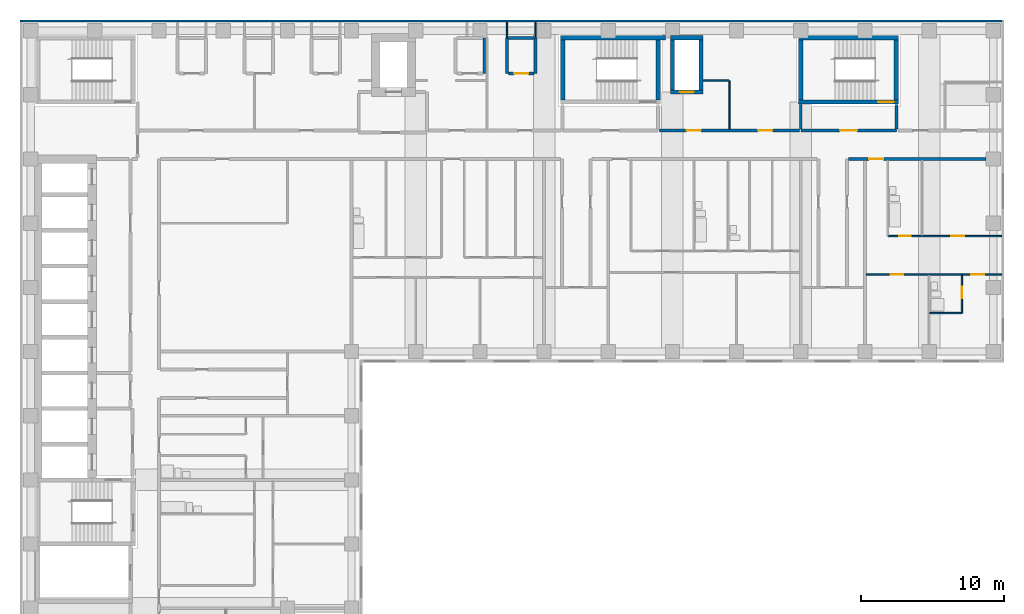
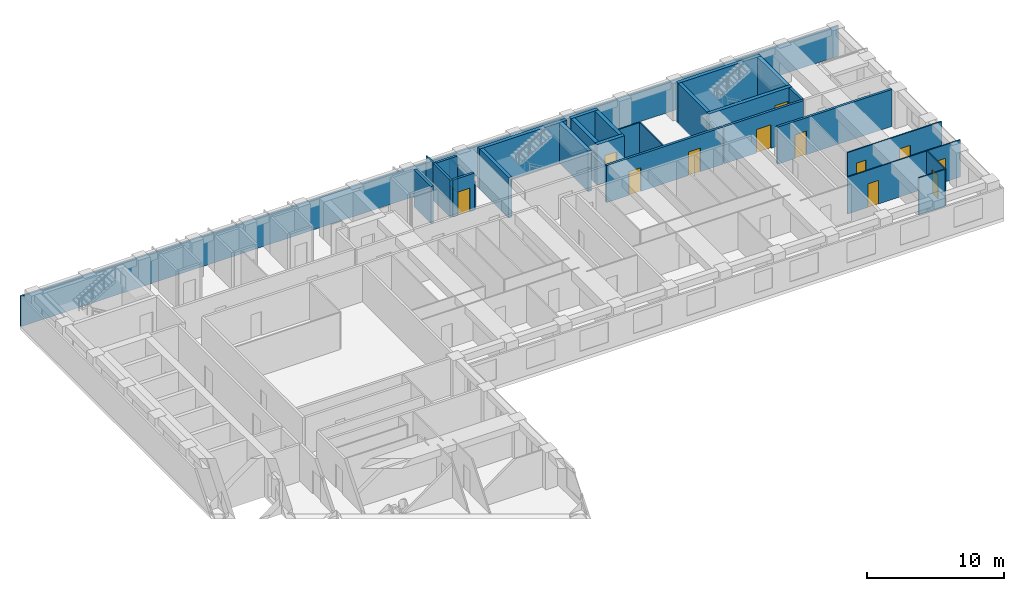
# One storey, part 8 of 11: 30 walls, 12 doors, 12 openings.
"""IFC4 building model written with IfcOpenShell, lengths in metres."""

from ifc_helpers import new_model, si_unit, direction, frame, frame_2d, origin, place, context, subcontext, project, spatial, rectangle, extrude, material, layer, layer_set, type_object, element, fill, save


model = new_model("IFC4")

# Units and contexts
model_context = context("Model", 3, precision=1e-05, world=origin(), true_north=direction((0.0, 1.0)))
body_context = subcontext(model_context, "Body", "Model", "MODEL_VIEW")
ifc_project = project(units=[si_unit("LENGTHUNIT", "METRE"), si_unit("AREAUNIT", "SQUARE_METRE"), si_unit("VOLUMEUNIT", "CUBIC_METRE"), si_unit("PLANEANGLEUNIT", "RADIAN"), si_unit("MASSUNIT", "GRAM", prefix="KILO")], contexts=[model_context])

# Site, building, storey
site_placement = place(None, origin())
site = spatial("IfcSite", under=ifc_project, at=site_placement, CompositionType="ELEMENT")
building_placement = place(site_placement, origin())
building = spatial("IfcBuilding", under=site, at=building_placement, Name="Firuza Court", CompositionType="ELEMENT")
storey_placement = place(building_placement, frame((0.0, 0.0, 134.0)))
storey = spatial("IfcBuildingStorey", under=building, at=storey_placement, Name="L33", CompositionType="ELEMENT", Elevation=134.0)

# Wall
ifc_material_1 = material(Name="Moisture-resistant gypsum board partition")
ifc_layer_1 = layer(ifc_material_1, 0.10009765625)
ifc_layer_set_1 = layer_set([ifc_layer_1], Name="Moisture-resistant gypsum board partition")
wall_type_1 = type_object("IfcWallType", Name="Bathroom partition 100", PredefinedType="PLUMBINGWALL", material=ifc_layer_set_1)
wall_1_placement = place(storey_placement, frame((63.050048828125, 38.699951171875, 0.0), z_axis=(0.0, 0.0, 1.0), x_axis=(1.0, 0.0, 0.0)))
element("IfcWall", 1, at=wall_1_placement, inside=storey, type_object=wall_type_1, Name="Bathroom partition 100 L33", PredefinedType="PLUMBINGWALL", context=body_context, shape_type="SweptSolid", body=[
    extrude(rectangle(XDim=2.199951171875, YDim=0.10009765625, at=frame_2d((1.10009765625, 0.0))), origin(), (0.0, 0.0, 1.0), 3.300048828125),
])

# Wall, opening, door
wall_2_placement = place(storey_placement, frame((65.300048828125, 38.699951171875, 0.0), z_axis=(0.0, 0.0, 1.0), x_axis=(0.0, 1.0, 0.0)))
wall_2 = element("IfcWall", 2, at=wall_2_placement, inside=storey, type_object=wall_type_1, Name="Bathroom partition 100 L33", PredefinedType="PLUMBINGWALL", context=body_context, shape_type="SweptSolid", body=[
    extrude(rectangle(XDim=2.650146484375, YDim=0.10009765625, at=frame_2d((1.3251953125, 0.0))), origin(), (0.0, 0.0, 1.0), 3.300048828125),
])
opening_1_placement = place(wall_2_placement, frame((1.050048828125, 0.0, 0.0)))
opening_1 = element("IfcOpeningElement", 3, at=opening_1_placement, cuts=wall_2, Name="Opening D33038", PredefinedType="OPENING", context=body_context, shape_type="SweptSolid", body=[
    extrude(rectangle(XDim=0.800048828125, YDim=2.10009765625, at=frame_2d((0.39990234375, 1.050048828125))), frame((0.0, 0.06201171875, 0.0), z_axis=(0.0, -1.0, 0.0), x_axis=(1.0, 0.0, 0.0)), (0.0, 0.0, 1.0), 0.1240234375),
])
ifc_material_2 = material(Name="Timber door leaf in hardwood frame", Category="wood")
door_type_1 = type_object("IfcDoorType", Name="Bathroom door 800", OperationType="SINGLE_SWING_LEFT", PredefinedType="DOOR", material=ifc_material_2)
door_1_placement = place(opening_1_placement, origin())
door_1 = element("IfcDoor", 4, at=door_1_placement, inside=storey, type_object=door_type_1, Name="En-suite door", OperationType="SINGLE_SWING_RIGHT", OverallHeight=2.10009765625, OverallWidth=0.800048828125, PredefinedType="DOOR", context=body_context, shape_type="SweptSolid", body=[
    extrude(rectangle(XDim=0.800048828125, YDim=2.10009765625, at=frame_2d((0.39990234375, 1.050048828125))), frame((0.0, 0.02490234375, 0.0), z_axis=(0.0, -1.0, 0.0), x_axis=(1.0, 0.0, 0.0)), (0.0, 0.0, 1.0), 0.050048828125),
])
fill(opening_1, door_1)

# Walls
ifc_material_3 = material(Name="Concrete C60/75", Category="concrete")
ifc_layer_2 = layer(ifc_material_3, 0.300048828125)
ifc_layer_set_2 = layer_set([ifc_layer_2], Name="Concrete C60/75")
wall_type_2 = type_object("IfcWallType", Name="Core wall 300 C60/75", PredefinedType="SHEAR", material=ifc_layer_set_2)
wall_3_placement = place(storey_placement, frame((37.14990234375, 58.0, -0.300048828125), z_axis=(0.0, 0.0, 1.0), x_axis=(1.0, 0.0, 0.0)))
element("IfcWall", 5, at=wall_3_placement, inside=storey, type_object=wall_type_2, Name="Core wall stair L33", PredefinedType="SHEAR", context=body_context, shape_type="SweptSolid", body=[
    extrude(rectangle(XDim=7.35009765625, YDim=0.300048828125, at=frame_2d((3.675048828125, 0.0))), origin(), (0.0, 0.0, 1.0), 3.60009765625),
])
for number, where, z_axis, x_axis, name in (
    (6, (37.300048828125, 53.64990234375, -0.300048828125), (0.0, 0.0, 1.0), (0.0, 1.0, 0.0), "Core wall stair L33"),
    (7, (44.0, 53.64990234375, -0.300048828125), (0.0, 0.0, 1.0), (0.0, 1.0, 0.0), "Core wall stair L33"),
):
    element("IfcWall", number, at=place(storey_placement, frame(where, z_axis=z_axis, x_axis=x_axis)), inside=storey, type_object=wall_type_2, Name=name, PredefinedType="SHEAR", context=body_context, shape_type="SweptSolid", body=[
        extrude(rectangle(XDim=4.2001953125, YDim=0.300048828125, at=frame_2d((2.10009765625, 0.0))), origin(), (0.0, 0.0, 1.0), 3.60009765625),
    ])

# Wall, opening, door
wall_4_placement = place(storey_placement, frame((44.85009765625, 54.199951171875, -0.300048828125), z_axis=(0.0, 0.0, 1.0), x_axis=(1.0, 0.0, 0.0)))
wall_4 = element("IfcWall", 8, at=wall_4_placement, inside=storey, type_object=wall_type_2, Name="Core wall riser L33", PredefinedType="SHEAR", context=body_context, shape_type="SweptSolid", body=[
    extrude(rectangle(XDim=2.2998046875, YDim=0.300048828125, at=frame_2d((1.14990234375, 0.0))), origin(), (0.0, 0.0, 1.0), 3.60009765625),
])
opening_2_placement = place(wall_4_placement, frame((0.64990234375, 0.0, 0.300048828125)))
opening_2 = element("IfcOpeningElement", 9, at=opening_2_placement, cuts=wall_4, Name="Opening D33010", PredefinedType="OPENING", context=body_context, shape_type="SweptSolid", body=[
    extrude(rectangle(XDim=1.0, YDim=2.10009765625, at=frame_2d((0.5, 1.050048828125))), frame((0.0, 0.162109375, 0.0), z_axis=(0.0, -1.0, 0.0), x_axis=(1.0, 0.0, 0.0)), (0.0, 0.0, 1.0), 0.323974609375),
])
ifc_material_4 = material(Name="Timber door leaf in hardwood frame", Category="wood")
door_type_2 = type_object("IfcDoorType", Name="Riser door 1000", OperationType="SINGLE_SWING_LEFT", PredefinedType="DOOR", material=ifc_material_4)
door_2_placement = place(opening_2_placement, origin())
door_2 = element("IfcDoor", 10, at=door_2_placement, inside=storey, type_object=door_type_2, Name="Riser door R3", OperationType="SINGLE_SWING_LEFT", OverallHeight=2.10009765625, OverallWidth=1.0, PredefinedType="DOOR", context=body_context, shape_type="SweptSolid", body=[
    extrude(rectangle(XDim=1.0, YDim=2.10009765625, at=frame_2d((0.5, 1.050048828125))), frame((0.0, 0.02490234375, 0.0), z_axis=(0.0, -1.0, 0.0), x_axis=(1.0, 0.0, 0.0)), (0.0, 0.0, 1.0), 0.050048828125),
])
fill(opening_2, door_2)

# Walls
wall_5_placement = place(storey_placement, frame((44.85009765625, 58.0, -0.300048828125), z_axis=(0.0, 0.0, 1.0), x_axis=(1.0, 0.0, 0.0)))
element("IfcWall", 11, at=wall_5_placement, inside=storey, type_object=wall_type_2, Name="Core wall riser L33", PredefinedType="SHEAR", context=body_context, shape_type="SweptSolid", body=[
    extrude(rectangle(XDim=2.2998046875, YDim=0.300048828125, at=frame_2d((1.14990234375, 0.0))), origin(), (0.0, 0.0, 1.0), 3.60009765625),
])
for number, where, z_axis, x_axis, name in (
    (12, (45.0, 54.35009765625, -0.300048828125), (0.0, 0.0, 1.0), (0.0, 1.0, 0.0), "Core wall riser L33"),
    (13, (47.0, 54.35009765625, -0.300048828125), (0.0, 0.0, 1.0), (0.0, 1.0, 0.0), "Core wall riser L33"),
):
    element("IfcWall", number, at=place(storey_placement, frame(where, z_axis=z_axis, x_axis=x_axis)), inside=storey, type_object=wall_type_2, Name=name, PredefinedType="SHEAR", context=body_context, shape_type="SweptSolid", body=[
        extrude(rectangle(XDim=3.5, YDim=0.300048828125, at=frame_2d((1.75, 0.0))), origin(), (0.0, 0.0, 1.0), 3.60009765625),
    ])

# Wall, opening, door
wall_6_placement = place(storey_placement, frame((53.85009765625, 53.5, -0.300048828125), z_axis=(0.0, 0.0, 1.0), x_axis=(1.0, 0.0, 0.0)))
wall_6 = element("IfcWall", 14, at=wall_6_placement, inside=storey, type_object=wall_type_2, Name="Core wall stair L33", PredefinedType="SHEAR", context=body_context, shape_type="SweptSolid", body=[
    extrude(rectangle(XDim=7.0, YDim=0.300048828125, at=frame_2d((3.5, 0.0))), origin(), (0.0, 0.0, 1.0), 3.60009765625),
])
opening_3_placement = place(wall_6_placement, frame((5.580078125, 0.0, 0.300048828125)))
opening_3 = element("IfcOpeningElement", 15, at=opening_3_placement, cuts=wall_6, Name="Opening D33016", PredefinedType="OPENING", context=body_context, shape_type="SweptSolid", body=[
    extrude(rectangle(XDim=1.10009765625, YDim=2.10009765625, at=frame_2d((0.550048828125, 1.050048828125))), frame((0.0, 0.162109375, 0.0), z_axis=(0.0, -1.0, 0.0), x_axis=(1.0, 0.0, 0.0)), (0.0, 0.0, 1.0), 0.323974609375),
])
ifc_material_5 = material(Name="Timber door leaf in hardwood frame", Category="wood")
door_type_3 = type_object("IfcDoorType", Name="Stair door 1100", OperationType="SINGLE_SWING_LEFT", PredefinedType="DOOR", material=ifc_material_5)
door_3_placement = place(opening_3_placement, origin())
door_3 = element("IfcDoor", 16, at=door_3_placement, inside=storey, type_object=door_type_3, Name="Stair door S4", OperationType="SINGLE_SWING_RIGHT", OverallHeight=2.10009765625, OverallWidth=1.10009765625, PredefinedType="DOOR", context=body_context, shape_type="SweptSolid", body=[
    extrude(rectangle(XDim=1.10009765625, YDim=2.10009765625, at=frame_2d((0.550048828125, 1.050048828125))), frame((0.0, 0.02490234375, 0.0), z_axis=(0.0, -1.0, 0.0), x_axis=(1.0, 0.0, 0.0)), (0.0, 0.0, 1.0), 0.050048828125),
])
fill(opening_3, door_3)

# Walls
wall_7_placement = place(storey_placement, frame((53.85009765625, 58.0, -0.300048828125), z_axis=(0.0, 0.0, 1.0), x_axis=(1.0, 0.0, 0.0)))
element("IfcWall", 17, at=wall_7_placement, inside=storey, type_object=wall_type_2, Name="Core wall stair L33", PredefinedType="SHEAR", context=body_context, shape_type="SweptSolid", body=[
    extrude(rectangle(XDim=7.0, YDim=0.300048828125, at=frame_2d((3.5, 0.0))), origin(), (0.0, 0.0, 1.0), 3.60009765625),
])
for number, where, z_axis, x_axis, name in (
    (18, (54.0, 53.64990234375, -0.300048828125), (0.0, 0.0, 1.0), (0.0, 1.0, 0.0), "Core wall stair L33"),
    (19, (60.699951171875, 53.64990234375, -0.300048828125), (0.0, 0.0, 1.0), (0.0, 1.0, 0.0), "Core wall stair L33"),
):
    element("IfcWall", number, at=place(storey_placement, frame(where, z_axis=z_axis, x_axis=x_axis)), inside=storey, type_object=wall_type_2, Name=name, PredefinedType="SHEAR", context=body_context, shape_type="SweptSolid", body=[
        extrude(rectangle(XDim=4.2001953125, YDim=0.300048828125, at=frame_2d((2.10009765625, 0.0))), origin(), (0.0, 0.0, 1.0), 3.60009765625),
    ])

# Wall, opening, door
ifc_material_6 = material(Name="Blockwork, plastered both sides", Category="masonry")
ifc_layer_3 = layer(ifc_material_6, 0.199951171875)
ifc_layer_set_3 = layer_set([ifc_layer_3], Name="Blockwork, plastered both sides")
wall_type_3 = type_object("IfcWallType", Name="Corridor wall 200", PredefinedType="PARTITIONING", material=ifc_layer_set_3)
wall_8_placement = place(storey_placement, frame((57.35009765625, 49.5, 0.0), z_axis=(0.0, 0.0, 1.0), x_axis=(1.0, 0.0, 0.0)))
wall_8 = element("IfcWall", 20, at=wall_8_placement, inside=storey, type_object=wall_type_3, Name="Corridor wall 200 L33", PredefinedType="PARTITIONING", context=body_context, shape_type="SweptSolid", body=[
    extrude(rectangle(XDim=9.64990234375, YDim=0.199951171875, at=frame_2d((4.824951171875, 0.0))), origin(), (0.0, 0.0, 1.0), 3.300048828125),
])
opening_4_placement = place(wall_8_placement, frame((1.449951171875, 0.0, 0.0)))
opening_4 = element("IfcOpeningElement", 21, at=opening_4_placement, cuts=wall_8, Name="Opening D33067", PredefinedType="OPENING", context=body_context, shape_type="SweptSolid", body=[
    extrude(rectangle(XDim=1.0, YDim=2.10009765625, at=frame_2d((0.5, 1.050048828125))), frame((0.0, 0.11181640625, 0.0), z_axis=(0.0, -1.0, 0.0), x_axis=(1.0, 0.0, 0.0)), (0.0, 0.0, 1.0), 0.223876953125),
])
ifc_material_7 = material(Name="Timber door leaf in hardwood frame", Category="wood")
door_type_4 = type_object("IfcDoorType", Name="Flat entrance door 1000", OperationType="SINGLE_SWING_LEFT", PredefinedType="DOOR", material=ifc_material_7)
door_4_placement = place(opening_4_placement, origin())
door_4 = element("IfcDoor", 22, at=door_4_placement, inside=storey, type_object=door_type_4, Name="Flat entrance door", OperationType="SINGLE_SWING_LEFT", OverallHeight=2.10009765625, OverallWidth=1.0, PredefinedType="DOOR", context=body_context, shape_type="SweptSolid", body=[
    extrude(rectangle(XDim=1.0, YDim=2.10009765625, at=frame_2d((0.5, 1.050048828125))), frame((0.0, 0.02490234375, 0.0), z_axis=(0.0, -1.0, 0.0), x_axis=(1.0, 0.0, 0.0)), (0.0, 0.0, 1.0), 0.050048828125),
])
fill(opening_4, door_4)

# Wall, openings, doors
wall_9_placement = place(storey_placement, frame((44.10009765625, 51.5, 0.0), z_axis=(0.0, 0.0, 1.0), x_axis=(1.0, 0.0, 0.0)))
wall_9 = element("IfcWall", 23, at=wall_9_placement, inside=storey, type_object=wall_type_3, Name="Corridor wall 200 L33", PredefinedType="PARTITIONING", context=body_context, shape_type="SweptSolid", body=[
    extrude(rectangle(XDim=9.7998046875, YDim=0.199951171875, at=frame_2d((4.89990234375, 0.0))), origin(), (0.0, 0.0, 1.0), 3.300048828125),
])
opening_5_placement = place(wall_9_placement, frame((1.89990234375, 0.0, 0.0)))
opening_5 = element("IfcOpeningElement", 24, at=opening_5_placement, cuts=wall_9, Name="Opening D33072", PredefinedType="OPENING", context=body_context, shape_type="SweptSolid", body=[
    extrude(rectangle(XDim=1.0, YDim=2.10009765625, at=frame_2d((0.5, 1.050048828125))), frame((0.0, 0.11181640625, 0.0), z_axis=(0.0, -1.0, 0.0), x_axis=(1.0, 0.0, 0.0)), (0.0, 0.0, 1.0), 0.223876953125),
])
opening_6_placement = place(wall_9_placement, frame((6.89990234375, 0.0, 0.0)))
opening_6 = element("IfcOpeningElement", 25, at=opening_6_placement, cuts=wall_9, Name="Opening D33073", PredefinedType="OPENING", context=body_context, shape_type="SweptSolid", body=[
    extrude(rectangle(XDim=1.0, YDim=2.10009765625, at=frame_2d((0.5, 1.050048828125))), frame((0.0, 0.11181640625, 0.0), z_axis=(0.0, -1.0, 0.0), x_axis=(1.0, 0.0, 0.0)), (0.0, 0.0, 1.0), 0.223876953125),
])
ifc_material_8 = material(Name="Timber door leaf in hardwood frame", Category="wood")
door_type_5 = type_object("IfcDoorType", Name="Store door 1000", OperationType="SINGLE_SWING_LEFT", PredefinedType="DOOR", material=ifc_material_8)
door_5_placement = place(opening_5_placement, origin())
door_5 = element("IfcDoor", 26, at=door_5_placement, inside=storey, type_object=door_type_5, Name="Cleaner's store door", OperationType="SINGLE_SWING_LEFT", OverallHeight=2.10009765625, OverallWidth=1.0, PredefinedType="DOOR", context=body_context, shape_type="SweptSolid", body=[
    extrude(rectangle(XDim=1.0, YDim=2.10009765625, at=frame_2d((0.5, 1.050048828125))), frame((0.0, 0.02490234375, 0.0), z_axis=(0.0, -1.0, 0.0), x_axis=(1.0, 0.0, 0.0)), (0.0, 0.0, 1.0), 0.050048828125),
])
fill(opening_5, door_5)
door_6_placement = place(opening_6_placement, origin())
door_6 = element("IfcDoor", 27, at=door_6_placement, inside=storey, type_object=door_type_5, Name="Bicycle store door", OperationType="SINGLE_SWING_LEFT", OverallHeight=2.10009765625, OverallWidth=1.0, PredefinedType="DOOR", context=body_context, shape_type="SweptSolid", body=[
    extrude(rectangle(XDim=1.0, YDim=2.10009765625, at=frame_2d((0.5, 1.050048828125))), frame((0.0, 0.02490234375, 0.0), z_axis=(0.0, -1.0, 0.0), x_axis=(1.0, 0.0, 0.0)), (0.0, 0.0, 1.0), 0.050048828125),
])
fill(opening_6, door_6)

ifc_material_9 = material(Name="Timber stud partition, plasterboard both sides", Category="wood")
ifc_layer_4 = layer(ifc_material_9, 0.10009765625)
ifc_layer_set_4 = layer_set([ifc_layer_4], Name="Timber stud partition, plasterboard both sides")
wall_type_4 = type_object("IfcWallType", Name="Partition wall 100", PredefinedType="PARTITIONING", material=ifc_layer_set_4)
wall_10_placement = place(storey_placement, frame((58.60009765625, 41.39990234375, 0.0), z_axis=(0.0, 0.0, 1.0), x_axis=(1.0, 0.0, 0.0)))
wall_10 = element("IfcWall", 28, at=wall_10_placement, inside=storey, type_object=wall_type_4, Name="Partition wall 100 L33", PredefinedType="PARTITIONING", context=body_context, shape_type="SweptSolid", body=[
    extrude(rectangle(XDim=9.5, YDim=0.10009765625, at=frame_2d((4.75, 0.0))), origin(), (0.0, 0.0, 1.0), 3.300048828125),
])
opening_7_placement = place(wall_10_placement, frame((1.699951171875, 0.0, 0.0)))
opening_7 = element("IfcOpeningElement", 29, at=opening_7_placement, cuts=wall_10, Name="Opening D33048", PredefinedType="OPENING", context=body_context, shape_type="SweptSolid", body=[
    extrude(rectangle(XDim=0.89990234375, YDim=2.10009765625, at=frame_2d((0.449951171875, 1.050048828125))), frame((0.0, 0.06201171875, 0.0), z_axis=(0.0, -1.0, 0.0), x_axis=(1.0, 0.0, 0.0)), (0.0, 0.0, 1.0), 0.1240234375),
])
opening_8_placement = place(wall_10_placement, frame((7.35009765625, 0.0, 0.0)))
opening_8 = element("IfcOpeningElement", 30, at=opening_8_placement, cuts=wall_10, Name="Opening D33049", PredefinedType="OPENING", context=body_context, shape_type="SweptSolid", body=[
    extrude(rectangle(XDim=0.89990234375, YDim=2.10009765625, at=frame_2d((0.449951171875, 1.050048828125))), frame((0.0, 0.06201171875, 0.0), z_axis=(0.0, -1.0, 0.0), x_axis=(1.0, 0.0, 0.0)), (0.0, 0.0, 1.0), 0.1240234375),
])
ifc_material_10 = material(Name="Timber door leaf in hardwood frame", Category="wood")
door_type_6 = type_object("IfcDoorType", Name="Room door 900", OperationType="SINGLE_SWING_LEFT", PredefinedType="DOOR", material=ifc_material_10)
door_7_placement = place(opening_7_placement, frame((0.89990234375, 0.0, 0.0), z_axis=(0.0, 0.0, 1.0), x_axis=(-1.0, 0.0, 0.0)))
door_7 = element("IfcDoor", 31, at=door_7_placement, inside=storey, type_object=door_type_6, Name="Living room door", OperationType="SINGLE_SWING_RIGHT", OverallHeight=2.10009765625, OverallWidth=0.89990234375, PredefinedType="DOOR", context=body_context, shape_type="SweptSolid", body=[
    extrude(rectangle(XDim=0.89990234375, YDim=2.10009765625, at=frame_2d((0.449951171875, 1.050048828125))), frame((0.0, 0.02490234375, 0.0), z_axis=(0.0, -1.0, 0.0), x_axis=(1.0, 0.0, 0.0)), (0.0, 0.0, 1.0), 0.050048828125),
])
fill(opening_7, door_7)
door_8_placement = place(opening_8_placement, frame((0.89990234375, 0.0, 0.0), z_axis=(0.0, 0.0, 1.0), x_axis=(-1.0, 0.0, 0.0)))
door_8 = element("IfcDoor", 32, at=door_8_placement, inside=storey, type_object=door_type_6, Name="Bedroom door", OperationType="SINGLE_SWING_RIGHT", OverallHeight=2.10009765625, OverallWidth=0.89990234375, PredefinedType="DOOR", context=body_context, shape_type="SweptSolid", body=[
    extrude(rectangle(XDim=0.89990234375, YDim=2.10009765625, at=frame_2d((0.449951171875, 1.050048828125))), frame((0.0, 0.02490234375, 0.0), z_axis=(0.0, -1.0, 0.0), x_axis=(1.0, 0.0, 0.0)), (0.0, 0.0, 1.0), 0.050048828125),
])
fill(opening_8, door_8)

wall_11_placement = place(storey_placement, frame((60.14990234375, 44.10009765625, 0.0), z_axis=(0.0, 0.0, 1.0), x_axis=(1.0, 0.0, 0.0)))
wall_11 = element("IfcWall", 33, at=wall_11_placement, inside=storey, type_object=wall_type_4, Name="Partition wall 100 L33", PredefinedType="PARTITIONING", context=body_context, shape_type="SweptSolid", body=[
    extrude(rectangle(XDim=7.9501953125, YDim=0.10009765625, at=frame_2d((3.97509765625, 0.0))), origin(), (0.0, 0.0, 1.0), 3.300048828125),
])
opening_9_placement = place(wall_11_placement, frame((0.75, 0.0, 0.0)))
opening_9 = element("IfcOpeningElement", 34, at=opening_9_placement, cuts=wall_11, Name="Opening D33062", PredefinedType="OPENING", context=body_context, shape_type="SweptSolid", body=[
    extrude(rectangle(XDim=0.800048828125, YDim=2.10009765625, at=frame_2d((0.39990234375, 1.050048828125))), frame((0.0, 0.06201171875, 0.0), z_axis=(0.0, -1.0, 0.0), x_axis=(1.0, 0.0, 0.0)), (0.0, 0.0, 1.0), 0.1240234375),
])
opening_10_placement = place(wall_11_placement, frame((4.39990234375, 0.0, 0.0)))
opening_10 = element("IfcOpeningElement", 35, at=opening_10_placement, cuts=wall_11, Name="Opening D33063", PredefinedType="OPENING", context=body_context, shape_type="SweptSolid", body=[
    extrude(rectangle(XDim=0.89990234375, YDim=2.10009765625, at=frame_2d((0.449951171875, 1.050048828125))), frame((0.0, 0.06201171875, 0.0), z_axis=(0.0, -1.0, 0.0), x_axis=(1.0, 0.0, 0.0)), (0.0, 0.0, 1.0), 0.1240234375),
])
door_9_placement = place(opening_9_placement, origin())
door_9 = element("IfcDoor", 36, at=door_9_placement, inside=storey, type_object=door_type_1, Name="Bathroom door", OperationType="SINGLE_SWING_LEFT", OverallHeight=2.10009765625, OverallWidth=0.800048828125, PredefinedType="DOOR", context=body_context, shape_type="SweptSolid", body=[
    extrude(rectangle(XDim=0.800048828125, YDim=2.10009765625, at=frame_2d((0.39990234375, 1.050048828125))), frame((0.0, 0.02490234375, 0.0), z_axis=(0.0, -1.0, 0.0), x_axis=(1.0, 0.0, 0.0)), (0.0, 0.0, 1.0), 0.050048828125),
])
fill(opening_9, door_9)
door_10_placement = place(opening_10_placement, origin())
door_10 = element("IfcDoor", 37, at=door_10_placement, inside=storey, type_object=door_type_6, Name="Kitchen door", OperationType="SINGLE_SWING_LEFT", OverallHeight=2.10009765625, OverallWidth=0.89990234375, PredefinedType="DOOR", context=body_context, shape_type="SweptSolid", body=[
    extrude(rectangle(XDim=0.89990234375, YDim=2.10009765625, at=frame_2d((0.449951171875, 1.050048828125))), frame((0.0, 0.02490234375, 0.0), z_axis=(0.0, -1.0, 0.0), x_axis=(1.0, 0.0, 0.0)), (0.0, 0.0, 1.0), 0.050048828125),
])
fill(opening_10, door_10)

# Walls
wall_12_placement = place(storey_placement, frame((49.0, 51.60009765625, 0.0), z_axis=(0.0, 0.0, 1.0), x_axis=(0.0, 1.0, 0.0)))
element("IfcWall", 38, at=wall_12_placement, inside=storey, type_object=wall_type_4, Name="Partition wall 100 L33", PredefinedType="PARTITIONING", context=body_context, shape_type="SweptSolid", body=[
    extrude(rectangle(XDim=3.39990234375, YDim=0.10009765625, at=frame_2d((1.699951171875, 0.0))), origin(), (0.0, 0.0, 1.0), 3.300048828125),
])
wall_13_placement = place(storey_placement, frame((47.14990234375, 55.0, 0.0), z_axis=(0.0, 0.0, 1.0), x_axis=(1.0, 0.0, 0.0)))
element("IfcWall", 39, at=wall_13_placement, inside=storey, type_object=wall_type_4, Name="Partition wall 100 L33", PredefinedType="PARTITIONING", context=body_context, shape_type="SweptSolid", body=[
    extrude(rectangle(XDim=1.800048828125, YDim=0.10009765625, at=frame_2d((0.89990234375, 0.0))), origin(), (0.0, 0.0, 1.0), 3.300048828125),
])
wall_14_placement = place(storey_placement, frame((33.39990234375, 58.0, 0.0), z_axis=(0.0, 0.0, 1.0), x_axis=(0.0, 1.0, 0.0)))
element("IfcWall", 40, at=wall_14_placement, inside=storey, type_object=wall_type_4, Name="Partition wall 100 L33", PredefinedType="PARTITIONING", context=body_context, shape_type="SweptSolid", body=[
    extrude(rectangle(XDim=1.10009765625, YDim=0.10009765625, at=frame_2d((0.550048828125, 0.0))), origin(), (0.0, 0.0, 1.0), 3.300048828125),
])
wall_15_placement = place(storey_placement, frame((35.39990234375, 58.0, 0.0), z_axis=(0.0, 0.0, 1.0), x_axis=(0.0, 1.0, 0.0)))
element("IfcWall", 41, at=wall_15_placement, inside=storey, type_object=wall_type_4, Name="Partition wall 100 L33", PredefinedType="PARTITIONING", context=body_context, shape_type="SweptSolid", body=[
    extrude(rectangle(XDim=1.10009765625, YDim=0.10009765625, at=frame_2d((0.550048828125, 0.0))), origin(), (0.0, 0.0, 1.0), 2.39990234375),
])
ifc_material_11 = material(Name="Blockwork, fire-rated", Category="masonry")
ifc_layer_5 = layer(ifc_material_11, 0.199951171875)
ifc_layer_set_5 = layer_set([ifc_layer_5], Name="Blockwork, fire-rated")
wall_type_5 = type_object("IfcWallType", Name="Plant room wall 200", PredefinedType="PARTITIONING", material=ifc_layer_set_5)
for number, where, z_axis, x_axis, name in (
    (42, (31.800048828125, 55.5, 0.0), (0.0, 0.0, 1.0), (0.0, 1.0, 0.0), "Plant room wall 200 L33"),
    (43, (33.39990234375, 55.5, 0.0), (0.0, 0.0, 1.0), (0.0, 1.0, 0.0), "Plant room wall 200 L33"),
):
    element("IfcWall", number, at=place(storey_placement, frame(where, z_axis=z_axis, x_axis=x_axis)), inside=storey, type_object=wall_type_5, Name=name, PredefinedType="PARTITIONING", context=body_context, shape_type="SweptSolid", body=[
        extrude(rectangle(XDim=2.5, YDim=0.199951171875, at=frame_2d((1.25, 0.0))), origin(), (0.0, 0.0, 1.0), 3.300048828125),
    ])

# Wall, opening, door
wall_16_placement = place(storey_placement, frame((33.5, 55.5, 0.0), z_axis=(0.0, 0.0, 1.0), x_axis=(1.0, 0.0, 0.0)))
wall_16 = element("IfcWall", 44, at=wall_16_placement, inside=storey, type_object=wall_type_5, Name="Plant room wall 200 L33", PredefinedType="PARTITIONING", context=body_context, shape_type="SweptSolid", body=[
    extrude(rectangle(XDim=1.800048828125, YDim=0.199951171875, at=frame_2d((0.89990234375, 0.0))), origin(), (0.0, 0.0, 1.0), 3.300048828125),
])
opening_11_placement = place(wall_16_placement, frame((0.39990234375, 0.0, 0.0)))
opening_11 = element("IfcOpeningElement", 45, at=opening_11_placement, cuts=wall_16, Name="Opening D33080", PredefinedType="OPENING", context=body_context, shape_type="SweptSolid", body=[
    extrude(rectangle(XDim=1.0, YDim=2.10009765625, at=frame_2d((0.5, 1.050048828125))), frame((0.0, 0.11181640625, 0.0), z_axis=(0.0, -1.0, 0.0), x_axis=(1.0, 0.0, 0.0)), (0.0, 0.0, 1.0), 0.223876953125),
])
door_11_placement = place(opening_11_placement, origin())
door_11 = element("IfcDoor", 46, at=door_11_placement, inside=storey, type_object=door_type_2, Name="Duct riser door", OperationType="SINGLE_SWING_LEFT", OverallHeight=2.10009765625, OverallWidth=1.0, PredefinedType="DOOR", context=body_context, shape_type="SweptSolid", body=[
    extrude(rectangle(XDim=1.0, YDim=2.10009765625, at=frame_2d((0.5, 1.050048828125))), frame((0.0, 0.02490234375, 0.0), z_axis=(0.0, -1.0, 0.0), x_axis=(1.0, 0.0, 0.0)), (0.0, 0.0, 1.0), 0.050048828125),
])
fill(opening_11, door_11)

# Walls
wall_17_placement = place(storey_placement, frame((35.39990234375, 55.5, 0.0), z_axis=(0.0, 0.0, 1.0), x_axis=(0.0, 1.0, 0.0)))
element("IfcWall", 47, at=wall_17_placement, inside=storey, type_object=wall_type_5, Name="Plant room wall 200 L33", PredefinedType="PARTITIONING", context=body_context, shape_type="SweptSolid", body=[
    extrude(rectangle(XDim=2.5, YDim=0.199951171875, at=frame_2d((1.25, 0.0))), origin(), (0.0, 0.0, 1.0), 2.39990234375),
])
wall_18_placement = place(storey_placement, frame((33.5, 58.0, 0.0), z_axis=(0.0, 0.0, 1.0), x_axis=(1.0, 0.0, 0.0)))
element("IfcWall", 48, at=wall_18_placement, inside=storey, type_object=wall_type_5, Name="Plant room wall 200 L33", PredefinedType="PARTITIONING", context=body_context, shape_type="SweptSolid", body=[
    extrude(rectangle(XDim=1.800048828125, YDim=0.199951171875, at=frame_2d((0.89990234375, 0.0))), origin(), (0.0, 0.0, 1.0), 3.300048828125),
])
ifc_material_12 = material(Name="Ceramic tile", Category="ceramic")
ifc_layer_6 = layer(ifc_material_12, 0.02001953125)
ifc_material_13 = material(Name="Mineral wool insulation", Category="insulation")
ifc_layer_7 = layer(ifc_material_13, 0.050048828125)
ifc_material_14 = material(Name="Concrete C40/50 precast", Category="concrete")
ifc_layer_8 = layer(ifc_material_14, 0.080078125)
ifc_layer_set_6 = layer_set([ifc_layer_6, ifc_layer_7, ifc_layer_8], Name="Concrete C40/50 precast")
wall_type_6 = type_object("IfcWallType", Name="Precast cladding wall with turquoise TILE PANEL face 150", PredefinedType="STANDARD", material=ifc_layer_set_6)
wall_19_placement = place(storey_placement, frame((68.10009765625, 59.175048828125, 0.0), z_axis=(0.0, 0.0, 1.0), x_axis=(-1.0, 0.0, 0.0)))
element("IfcWall", 49, at=wall_19_placement, inside=storey, type_object=wall_type_6, Name="Facade wall L33 N", PredefinedType="STANDARD", context=body_context, shape_type="SweptSolid", body=[
    extrude(rectangle(XDim=68.85009765625, YDim=0.14990234375, at=frame_2d((34.425048828125, 0.0))), origin(), (0.0, 0.0, 1.0), 2.699951171875),
])

# Wall, opening, door
ifc_layer_9 = layer(ifc_material_11, 0.199951171875)
ifc_layer_set_7 = layer_set([ifc_layer_9], Name="Blockwork, fire-rated")
wall_type_7 = type_object("IfcWallType", Name="Shaft wall 200", PredefinedType="PARTITIONING", material=ifc_layer_set_7)
wall_20_placement = place(storey_placement, frame((54.0, 51.5, 0.0), z_axis=(0.0, 0.0, 1.0), x_axis=(1.0, 0.0, 0.0)))
wall_20 = element("IfcWall", 50, at=wall_20_placement, inside=storey, type_object=wall_type_7, Name="Shaft wall 200 L33", PredefinedType="PARTITIONING", context=body_context, shape_type="SweptSolid", body=[
    extrude(rectangle(XDim=6.699951171875, YDim=0.199951171875, at=frame_2d((3.35009765625, 0.0))), origin(), (0.0, 0.0, 1.0), 3.300048828125),
])
opening_12_placement = place(wall_20_placement, frame((2.75, 0.0, 0.0)))
opening_12 = element("IfcOpeningElement", 51, at=opening_12_placement, cuts=wall_20, Name="Opening D33007", PredefinedType="OPENING", context=body_context, shape_type="SweptSolid", body=[
    extrude(rectangle(XDim=1.199951171875, YDim=2.10009765625, at=frame_2d((0.60009765625, 1.050048828125))), frame((0.0, 0.11181640625, 0.0), z_axis=(0.0, -1.0, 0.0), x_axis=(1.0, 0.0, 0.0)), (0.0, 0.0, 1.0), 0.223876953125),
])
ifc_material_15 = material(Name="Timber door leaf in hardwood frame", Category="wood")
door_type_7 = type_object("IfcDoorType", Name="Lobby door 1200", OperationType="SINGLE_SWING_LEFT", PredefinedType="DOOR", material=ifc_material_15)
door_12_placement = place(opening_12_placement, origin())
door_12 = element("IfcDoor", 52, at=door_12_placement, inside=storey, type_object=door_type_7, Name="Lobby door", OperationType="SINGLE_SWING_LEFT", OverallHeight=2.10009765625, OverallWidth=1.199951171875, PredefinedType="DOOR", context=body_context, shape_type="SweptSolid", body=[
    extrude(rectangle(XDim=1.199951171875, YDim=2.10009765625, at=frame_2d((0.60009765625, 1.050048828125))), frame((0.0, 0.02490234375, 0.0), z_axis=(0.0, -1.0, 0.0), x_axis=(1.0, 0.0, 0.0)), (0.0, 0.0, 1.0), 0.050048828125),
])
fill(opening_12, door_12)

# Walls
wall_21_placement = place(storey_placement, frame((60.699951171875, 51.60009765625, 0.0), z_axis=(0.0, 0.0, 1.0), x_axis=(0.0, 1.0, 0.0)))
element("IfcWall", 53, at=wall_21_placement, inside=storey, type_object=wall_type_7, Name="Shaft wall 200 L33", PredefinedType="PARTITIONING", context=body_context, shape_type="SweptSolid", body=[
    extrude(rectangle(XDim=1.72998046875, YDim=0.199951171875, at=frame_2d((0.864990234375, 0.0))), origin(), (0.0, 0.0, 1.0), 3.300048828125),
])
wall_22_placement = place(storey_placement, frame((54.0, 51.60009765625, 0.0), z_axis=(0.0, 0.0, 1.0), x_axis=(0.0, 1.0, 0.0)))
element("IfcWall", 54, at=wall_22_placement, inside=storey, type_object=wall_type_7, Name="Shaft wall 200 L33", PredefinedType="PARTITIONING", context=body_context, shape_type="SweptSolid", body=[
    extrude(rectangle(XDim=1.72998046875, YDim=0.199951171875, at=frame_2d((0.864990234375, 0.0))), origin(), (0.0, 0.0, 1.0), 2.60009765625),
])

save(model, "model.ifc")
